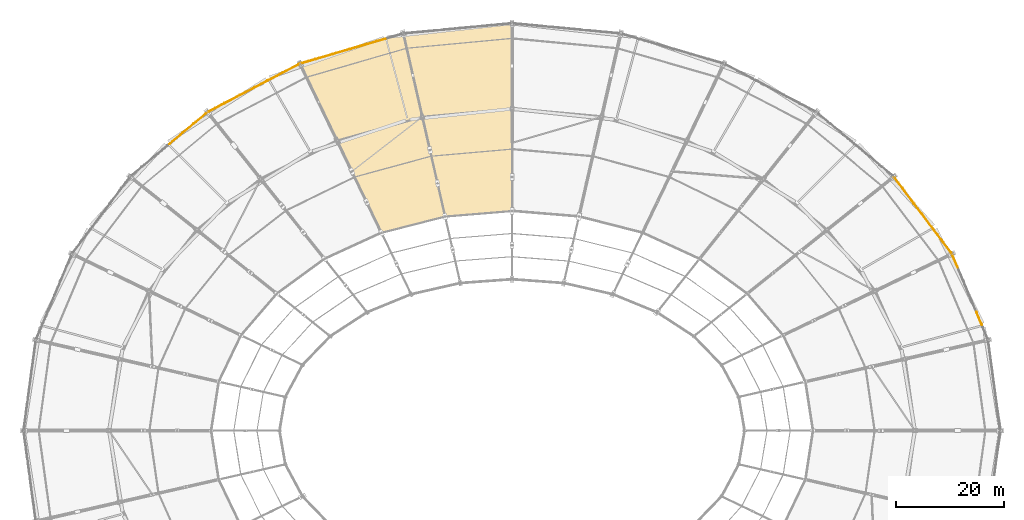
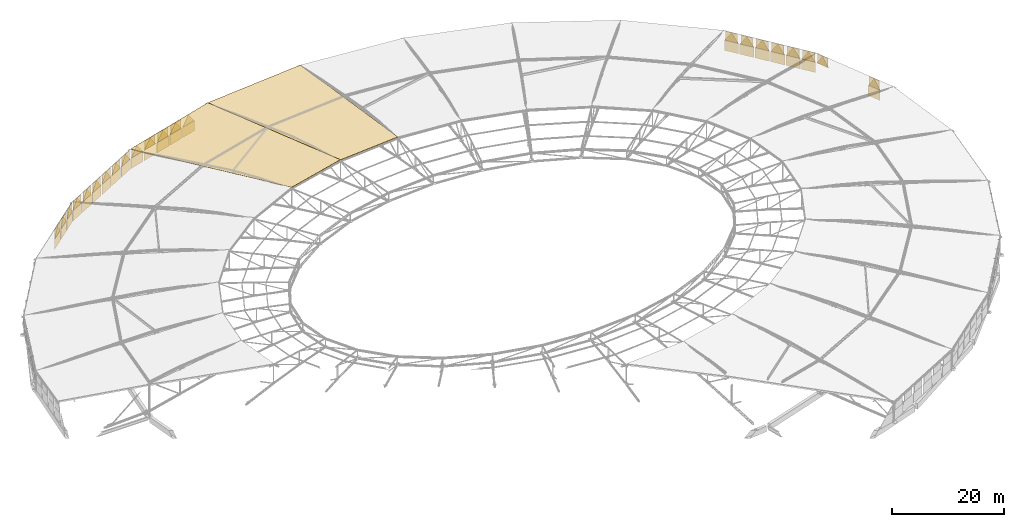
# One storey, part 106 of 108: 45 coverings, 21 shading devices.
"""IFC4 building model written with IfcOpenShell, lengths in metres."""

from ifc_helpers import new_model, si_unit, direction, frame, origin, origin_2d, place, context, subcontext, project, spatial, polyline, rectangle, outline, extrude, material, layer, layer_set, type_object, element, save


model = new_model("IFC4")

# Units and contexts
model_context = context("Model", 3, precision=1e-05, world=origin(), true_north=direction((0.0, 1.0)))
body_context = subcontext(model_context, "Body", "Model", "MODEL_VIEW")
ifc_project = project(units=[si_unit("LENGTHUNIT", "METRE"), si_unit("AREAUNIT", "SQUARE_METRE"), si_unit("VOLUMEUNIT", "CUBIC_METRE"), si_unit("PLANEANGLEUNIT", "RADIAN"), si_unit("MASSUNIT", "GRAM", prefix="KILO")], contexts=[model_context])

# Site, building, storey
site_placement = place(None, origin())
site = spatial("IfcSite", under=ifc_project, at=site_placement, CompositionType="ELEMENT")
building_placement = place(site_placement, origin())
building = spatial("IfcBuilding", under=site, at=building_placement, Name="Zevraka Park Crest Stadium", CompositionType="ELEMENT")
storey_placement = place(building_placement, frame((0.0, 0.0, 29.39990234375)))
storey = spatial("IfcBuildingStorey", under=building, at=storey_placement, Name="RF", CompositionType="ELEMENT", Elevation=29.39990234375)

# Coverings
ifc_material_1 = material(Name="Architectural golden-bronze perforated aluminium", Category="aluminium")
ifc_layer_1 = layer(ifc_material_1, 0.034912109375)
ifc_layer_set_1 = layer_set([ifc_layer_1], Name="Architectural golden-bronze perforated aluminium")
covering_type_1 = type_object("IfcCoveringType", Name="CLD01", PredefinedType="CLADDING", material=ifc_layer_set_1)
covering_1_placement = place(storey_placement, frame((198.8779296875, 111.514892578125, 0.0), z_axis=(0.922110512256, 0.386926612146, 0.0), x_axis=(-0.386926612146, 0.922110512256, 0.0)))
element("IfcCovering", 1, at=covering_1_placement, inside=storey, type_object=covering_type_1, Name="Canopy Crown Perforated Bronze Fascia 02-2A", PredefinedType="CLADDING", context=body_context, shape_type="SweptSolid", body=[
    extrude(outline(polyline([(0.0, 0.0), (2.6463048782568626, 0.0), (2.6463048782568626, 2.2001953125), (0.0, 2.2001953125), (0.0, 0.0)])), origin(), (0.0, 0.0, -1.0), 0.044921875),
])
covering_2_placement = place(storey_placement, frame((198.8779296875, 111.514892578125, 2.2001953125), z_axis=(-0.922110512009, -0.386926612043, 2.3155393e-05), x_axis=(-0.386926612146, 0.922110512256, 0.0)))
element("IfcCovering", 2, at=covering_2_placement, inside=storey, type_object=covering_type_1, Name="Canopy Crown Triangular Bronze Screen 02-2B", PredefinedType="CLADDING", context=body_context, shape_type="SweptSolid", body=[
    extrude(outline(polyline([(0.0, 0.0), (2.6463048782568626, -3.3881317890172014e-21), (1.323265001446822, -2.039794922421841), (0.0, 0.0)])), origin(), (0.0, 0.0, -1.0), 0.044921875),
])
covering_3_placement = place(storey_placement, frame((194.426025390625, 122.125, 2.2001953125), z_axis=(0.922096698468, 0.386959531056, 0.0), x_axis=(-0.386959531056, 0.922096698468, 0.0)))
element("IfcCovering", 3, at=covering_3_placement, inside=storey, type_object=covering_type_1, Name="Canopy Crown Triangular Bronze Screen 02-6B", PredefinedType="CLADDING", context=body_context, shape_type="SweptSolid", body=[
    extrude(outline(polyline([(0.0, 0.0), (2.6460797553062623, 0.0), (1.3230398776531311, 2.0397949218750004), (0.0, 0.0)])), origin(), (0.0, 0.0, -1.0), 0.044921875),
])
covering_4_placement = place(storey_placement, frame((193.284912109375, 124.76611328125, 0.0), z_axis=(0.798736787281, 0.601680600189, 0.0), x_axis=(-0.601680600189, 0.798736787281, 0.0)))
element("IfcCovering", 4, at=covering_4_placement, inside=storey, type_object=covering_type_1, Name="Canopy Crown Perforated Bronze Fascia 03-1A", PredefinedType="CLADDING", context=body_context, shape_type="SweptSolid", body=[
    extrude(outline(polyline([(0.0, 0.0), (2.7405334004978643, 0.0), (2.7405334004978643, 2.2001953125), (0.0, 2.2001953125), (0.0, 0.0)])), origin(), (0.0, 0.0, -1.0), 0.044921875),
])
covering_5_placement = place(storey_placement, frame((193.284912109375, 124.76611328125, 2.2001953125), z_axis=(0.798736742401, 0.601680566381, 0.00033522856), x_axis=(-0.601680600189, 0.798736787281, 0.0)))
element("IfcCovering", 5, at=covering_5_placement, inside=storey, type_object=covering_type_1, Name="Canopy Crown Triangular Bronze Screen 03-1B", PredefinedType="CLADDING", context=body_context, shape_type="SweptSolid", body=[
    extrude(outline(polyline([(0.0, 0.0), (2.7405334004978643, 1.0842021724855044e-19), (1.3701704814075786, 2.0397950364892377), (0.0, 0.0)])), origin(), (0.0, 0.0, -1.0), 0.044921875),
])
covering_6_placement = place(storey_placement, frame((191.491943359375, 127.14599609375, 0.0), z_axis=(0.798736787281, 0.601680600189, 0.0), x_axis=(-0.601680600189, 0.798736787281, 0.0)))
element("IfcCovering", 6, at=covering_6_placement, inside=storey, type_object=covering_type_1, Name="Canopy Crown Perforated Bronze Fascia 03-2A", PredefinedType="CLADDING", context=body_context, shape_type="SweptSolid", body=[
    extrude(outline(polyline([(0.0, 0.0), (2.7405334004978643, 0.0), (2.7405334004978643, 2.2001953125), (0.0, 2.2001953125), (0.0, 0.0)])), origin(), (0.0, 0.0, -1.0), 0.044921875),
])
covering_7_placement = place(storey_placement, frame((191.491943359375, 127.14599609375, 2.2001953125), z_axis=(-0.798736786392, -0.60168059952, 4.7170841e-05), x_axis=(-0.601680600189, 0.798736787281, 0.0)))
element("IfcCovering", 7, at=covering_7_placement, inside=storey, type_object=covering_type_1, Name="Canopy Crown Triangular Bronze Screen 03-2B", PredefinedType="CLADDING", context=body_context, shape_type="SweptSolid", body=[
    extrude(outline(polyline([(0.0, 0.0), (2.740533400497864, 1.3552527156068805e-20), (1.369582902696456, -2.039794924144362), (0.0, 0.0)])), origin(), (0.0, 0.0, -1.0), 0.044921875),
])
covering_8_placement = place(storey_placement, frame((189.698974609375, 129.52587890625, 0.0), z_axis=(0.798769034378, 0.601637789471, 0.0), x_axis=(-0.601637789471, 0.798769034378, 0.0)))
element("IfcCovering", 8, at=covering_8_placement, inside=storey, type_object=covering_type_1, Name="Canopy Crown Perforated Bronze Fascia 03-3A", PredefinedType="CLADDING", context=body_context, shape_type="SweptSolid", body=[
    extrude(outline(polyline([(0.0, 0.0), (2.740728408532874, 0.0), (2.740728408532874, 2.2001953125), (0.0, 2.2001953125), (0.0, 0.0)])), origin(), (0.0, 0.0, -1.0), 0.044921875),
])
covering_9_placement = place(storey_placement, frame((189.698974609375, 129.52587890625, 2.2001953125), z_axis=(0.798768998619, 0.601637762538, 0.000299221381), x_axis=(-0.601637789471, 0.798769034378, 0.0)))
element("IfcCovering", 9, at=covering_9_placement, inside=storey, type_object=covering_type_1, Name="Canopy Crown Triangular Bronze Screen 03-3B", PredefinedType="CLADDING", context=body_context, shape_type="SweptSolid", body=[
    extrude(outline(polyline([(0.0, 0.0), (2.740728408532874, 0.0), (1.370365454761402, 2.0397950131899294), (0.0, 0.0)])), origin(), (0.0, 0.0, -1.0), 0.044921875),
])
covering_10_placement = place(storey_placement, frame((187.906005859375, 131.905029296875, 0.0), z_axis=(0.798736787281, 0.601680600189, 0.0), x_axis=(-0.601680600189, 0.798736787281, 0.0)))
element("IfcCovering", 10, at=covering_10_placement, inside=storey, type_object=covering_type_1, Name="Canopy Crown Perforated Bronze Fascia 03-4A", PredefinedType="CLADDING", context=body_context, shape_type="SweptSolid", body=[
    extrude(outline(polyline([(0.0, 0.0), (2.7405334004978643, 0.0), (2.7405334004978643, 2.2001953125), (0.0, 2.2001953125), (0.0, 0.0)])), origin(), (0.0, 0.0, -1.0), 0.044921875),
])
covering_11_placement = place(storey_placement, frame((187.906005859375, 131.905029296875, 2.2001953125), z_axis=(-0.798736742401, -0.601680566381, 0.00033522856), x_axis=(-0.601680600189, 0.798736787281, 0.0)))
element("IfcCovering", 11, at=covering_11_placement, inside=storey, type_object=covering_type_1, Name="Canopy Crown Triangular Bronze Screen 03-4B", PredefinedType="CLADDING", context=body_context, shape_type="SweptSolid", body=[
    extrude(outline(polyline([(0.0, 0.0), (2.7405334004978643, 1.0842021724855044e-19), (1.3703629190902855, -2.0397950364892377), (0.0, 0.0)])), origin(), (0.0, 0.0, -1.0), 0.044921875),
])
covering_12_placement = place(storey_placement, frame((186.113037109375, 134.284912109375, 0.0), z_axis=(0.798769034378, 0.601637789471, 0.0), x_axis=(-0.601637789471, 0.798769034378, 0.0)))
element("IfcCovering", 12, at=covering_12_placement, inside=storey, type_object=covering_type_1, Name="Canopy Crown Perforated Bronze Fascia 03-5A", PredefinedType="CLADDING", context=body_context, shape_type="SweptSolid", body=[
    extrude(outline(polyline([(0.0, 0.0), (2.740728408532874, 0.0), (2.740728408532874, 2.2001953125), (0.0, 2.2001953125), (0.0, 0.0)])), origin(), (0.0, 0.0, -1.0), 0.044921875),
])
covering_13_placement = place(storey_placement, frame((186.113037109375, 134.284912109375, 2.2001953125), z_axis=(0.798769031613, 0.601637787389, 8.3193463e-05), x_axis=(-0.601637789471, 0.798769034378, 0.0)))
element("IfcCovering", 13, at=covering_13_placement, inside=storey, type_object=covering_type_1, Name="Canopy Crown Triangular Bronze Screen 03-5B", PredefinedType="CLADDING", context=body_context, shape_type="SweptSolid", body=[
    extrude(outline(polyline([(0.0, 0.0), (2.740728408532874, 0.0), (1.3709504906752525, 2.0397949289338655), (0.0, 0.0)])), origin(), (0.0, 0.0, -1.0), 0.044921875),
])
covering_14_placement = place(storey_placement, frame((184.320068359375, 136.6650390625, 0.0), z_axis=(0.798693974654, 0.601737430157, 0.0), x_axis=(-0.601737430157, 0.798693974654, 0.0)))
element("IfcCovering", 14, at=covering_14_placement, inside=storey, type_object=covering_type_1, Name="Canopy Crown Perforated Bronze Fascia 03-6A", PredefinedType="CLADDING", context=body_context, shape_type="SweptSolid", body=[
    extrude(outline(polyline([(0.0, 0.0), (2.7406803021130823, 0.0), (2.7406803021130823, 2.2001953125), (0.0, 2.2001953125), (0.0, 0.0)])), origin(), (0.0, 0.0, -1.0), 0.044921875),
])
covering_15_placement = place(storey_placement, frame((184.320068359375, 136.6650390625, 2.2001953125), z_axis=(-0.798693916065, -0.601737386016, 0.000383029271), x_axis=(-0.601737430157, 0.798693974654, 0.0)))
element("IfcCovering", 15, at=covering_15_placement, inside=storey, type_object=covering_type_1, Name="Canopy Crown Triangular Bronze Screen 03-6B", PredefinedType="CLADDING", context=body_context, shape_type="SweptSolid", body=[
    extrude(outline(polyline([(0.0, 0.0), (2.7406803021130823, 0.0), (1.3703628669681416, -2.0397950715056243), (0.0, 0.0)])), origin(), (0.0, 0.0, -1.0), 0.044921875),
])
covering_16_placement = place(storey_placement, frame((88.597900390625, 164.447021484375, 0.0), z_axis=(-0.280089166115, 0.959973988723, 0.0), x_axis=(-0.959973988723, -0.280089166115, 0.0)))
element("IfcCovering", 16, at=covering_16_placement, inside=storey, type_object=covering_type_1, Name="Canopy Crown Perforated Bronze Fascia 09-2A", PredefinedType="CLADDING", context=body_context, shape_type="SweptSolid", body=[
    extrude(outline(polyline([(0.0, 0.0), (3.0490429819023257, 0.0), (3.0490429819023257, 2.2001953125), (0.0, 2.2001953125), (0.0, 0.0)])), origin(), (0.0, 0.0, -1.0), 0.044921875),
])
covering_17_placement = place(storey_placement, frame((88.597900390625, 164.447021484375, 2.2001953125), z_axis=(0.280089165761, -0.959973987509, 5.0285308e-05), x_axis=(-0.959973988723, -0.280089166115, 0.0)))
element("IfcCovering", 17, at=covering_17_placement, inside=storey, type_object=covering_type_1, Name="Canopy Crown Triangular Bronze Screen 09-2B", PredefinedType="CLADDING", context=body_context, shape_type="SweptSolid", body=[
    extrude(outline(polyline([(0.0, 0.0), (3.0490429819023257, 0.0), (1.5248730439255487, -2.039794924453925), (0.0, 0.0)])), origin(), (0.0, 0.0, -1.0), 0.044921875),
])
covering_18_placement = place(storey_placement, frame((85.4169921875, 163.51904296875, 0.0), z_axis=(-0.280089166115, 0.959973988723, 0.0), x_axis=(-0.959973988723, -0.280089166115, 0.0)))
element("IfcCovering", 18, at=covering_18_placement, inside=storey, type_object=covering_type_1, Name="Canopy Crown Perforated Bronze Fascia 09-3A", PredefinedType="CLADDING", context=body_context, shape_type="SweptSolid", body=[
    extrude(outline(polyline([(0.0, 0.0), (3.0490429819023257, 0.0), (3.0490429819023257, 2.2001953125), (0.0, 2.2001953125), (0.0, 0.0)])), origin(), (0.0, 0.0, -1.0), 0.044921875),
])
covering_19_placement = place(storey_placement, frame((85.4169921875, 163.51904296875, 2.2001953125), z_axis=(0.280089165131, -0.959973985352, 8.3808847e-05), x_axis=(-0.959973988723, -0.280089166115, 0.0)))
element("IfcCovering", 19, at=covering_19_placement, inside=storey, type_object=covering_type_1, Name="Canopy Crown Triangular Bronze Screen 09-3B", PredefinedType="CLADDING", context=body_context, shape_type="SweptSolid", body=[
    extrude(outline(polyline([(0.0, 0.0), (3.0490429819023257, -1.3552527156068805e-20), (1.5251074125751394, -2.039794929038681), (0.0, 0.0)])), origin(), (0.0, 0.0, -1.0), 0.044921875),
])
covering_20_placement = place(storey_placement, frame((82.236083984375, 162.590087890625, 0.0), z_axis=(-0.280089166115, 0.959973988723, 0.0), x_axis=(-0.959973988723, -0.280089166115, 0.0)))
element("IfcCovering", 20, at=covering_20_placement, inside=storey, type_object=covering_type_1, Name="Canopy Crown Perforated Bronze Fascia 09-4A", PredefinedType="CLADDING", context=body_context, shape_type="SweptSolid", body=[
    extrude(outline(polyline([(0.0, 0.0), (3.0490429819023257, 0.0), (3.0490429819023257, 2.2001953125), (0.0, 2.2001953125), (0.0, 0.0)])), origin(), (0.0, 0.0, -1.0), 0.044921875),
])
covering_21_placement = place(storey_placement, frame((82.236083984375, 162.590087890625, 2.2001953125), z_axis=(-0.280089165761, 0.959973987509, 5.0285308e-05), x_axis=(-0.959973988723, -0.280089166115, 0.0)))
element("IfcCovering", 21, at=covering_21_placement, inside=storey, type_object=covering_type_1, Name="Canopy Crown Triangular Bronze Screen 09-4B", PredefinedType="CLADDING", context=body_context, shape_type="SweptSolid", body=[
    extrude(outline(polyline([(0.0, 0.0), (3.0490429819023257, 0.0), (1.5241699379767768, 2.039794924453925), (0.0, 0.0)])), origin(), (0.0, 0.0, -1.0), 0.044921875),
])
covering_22_placement = place(storey_placement, frame((79.054931640625, 161.662109375, 0.0), z_axis=(-0.280089166115, 0.959973988723, 0.0), x_axis=(-0.959973988723, -0.280089166115, 0.0)))
element("IfcCovering", 22, at=covering_22_placement, inside=storey, type_object=covering_type_1, Name="Canopy Crown Perforated Bronze Fascia 09-5A", PredefinedType="CLADDING", context=body_context, shape_type="SweptSolid", body=[
    extrude(outline(polyline([(0.0, 0.0), (3.0490429819023257, 0.0), (3.0490429819023257, 2.2001953125), (0.0, 2.2001953125), (0.0, 0.0)])), origin(), (0.0, 0.0, -1.0), 0.044921875),
])
covering_23_placement = place(storey_placement, frame((79.054931640625, 161.662109375, 2.2001953125), z_axis=(-0.280089165131, 0.959973985352, 8.3808847e-05), x_axis=(-0.959973988723, -0.280089166115, 0.0)))
element("IfcCovering", 23, at=covering_23_placement, inside=storey, type_object=covering_type_1, Name="Canopy Crown Triangular Bronze Screen 09-5B", PredefinedType="CLADDING", context=body_context, shape_type="SweptSolid", body=[
    extrude(outline(polyline([(0.0, 0.0), (3.0490429819023257, -1.3552527156068805e-20), (1.5239355693271863, 2.039794929038681), (0.0, 0.0)])), origin(), (0.0, 0.0, -1.0), 0.044921875),
])
covering_24_placement = place(storey_placement, frame((75.8740234375, 160.73388671875, 0.0), z_axis=(-0.280089166115, 0.959973988723, 0.0), x_axis=(-0.959973988723, -0.280089166115, 0.0)))
element("IfcCovering", 24, at=covering_24_placement, inside=storey, type_object=covering_type_1, Name="Canopy Crown Perforated Bronze Fascia 09-6A", PredefinedType="CLADDING", context=body_context, shape_type="SweptSolid", body=[
    extrude(outline(polyline([(0.0, 0.0), (3.0490429819023257, 0.0), (3.0490429819023257, 2.2001953125), (0.0, 2.2001953125), (0.0, 0.0)])), origin(), (0.0, 0.0, -1.0), 0.044921875),
])
covering_25_placement = place(storey_placement, frame((75.8740234375, 160.73388671875, 2.2001953125), z_axis=(0.280089165131, -0.959973985352, 8.3808847e-05), x_axis=(-0.959973988723, -0.280089166115, 0.0)))
element("IfcCovering", 25, at=covering_25_placement, inside=storey, type_object=covering_type_1, Name="Canopy Crown Triangular Bronze Screen 09-6B", PredefinedType="CLADDING", context=body_context, shape_type="SweptSolid", body=[
    extrude(outline(polyline([(0.0, 0.0), (3.0490429819023257, -1.3552527156068805e-20), (1.5251074125751394, -2.039794929038681), (0.0, 0.0)])), origin(), (0.0, 0.0, -1.0), 0.044921875),
])
covering_26_placement = place(storey_placement, frame((72.7060546875, 159.782958984375, 0.0), z_axis=(-0.464006994671, 0.88583153528, 0.0), x_axis=(-0.88583153528, -0.464006994671, 0.0)))
element("IfcCovering", 26, at=covering_26_placement, inside=storey, type_object=covering_type_1, Name="Canopy Crown Perforated Bronze Fascia 10-1A", PredefinedType="CLADDING", context=body_context, shape_type="SweptSolid", body=[
    extrude(outline(polyline([(0.0, 0.0), (2.9633173977824248, 0.0), (2.9633173977824248, 2.2001953125), (0.0, 2.2001953125), (0.0, 0.0)])), origin(), (0.0, 0.0, -1.0), 0.044921875),
])
covering_27_placement = place(storey_placement, frame((72.7060546875, 159.782958984375, 2.2001953125), z_axis=(0.464006992305, -0.885831530764, 0.000100975353), x_axis=(-0.88583153528, -0.464006994671, 0.0)))
element("IfcCovering", 27, at=covering_27_placement, inside=storey, type_object=covering_type_1, Name="Canopy Crown Triangular Bronze Screen 10-1B", PredefinedType="CLADDING", context=body_context, shape_type="SweptSolid", body=[
    extrude(outline(polyline([(0.0, 0.0), (2.963317397782425, 0.0), (1.4809995980465098, -2.0397949322738973), (0.0, 0.0)])), origin(), (0.0, 0.0, -1.0), 0.044921875),
])
covering_28_placement = place(storey_placement, frame((69.85205078125, 158.2880859375, 0.0), z_axis=(-0.464265532752, 0.885696062483, 0.0), x_axis=(-0.885696062483, -0.464265532752, 0.0)))
element("IfcCovering", 28, at=covering_28_placement, inside=storey, type_object=covering_type_1, Name="Canopy Crown Perforated Bronze Fascia 10-2A", PredefinedType="CLADDING", context=body_context, shape_type="SweptSolid", body=[
    extrude(outline(polyline([(0.0, 0.0), (2.9637706558621093, 0.0), (2.9637706558621093, 2.2001953125), (0.0, 2.2001953125), (0.0, 0.0)])), origin(), (0.0, 0.0, -1.0), 0.044921875),
])
covering_29_placement = place(storey_placement, frame((69.85205078125, 158.2880859375, 2.2001953125), z_axis=(-0.464265529885, 0.885696057014, 0.000111134777), x_axis=(-0.885696062483, -0.464265532752, 0.0)))
element("IfcCovering", 29, at=covering_29_placement, inside=storey, type_object=covering_type_1, Name="Canopy Crown Triangular Bronze Screen 10-2B", PredefinedType="CLADDING", context=body_context, shape_type="SweptSolid", body=[
    extrude(outline(polyline([(0.0, 0.0), (2.9637706558621093, 0.0), (1.4814528591505454, 2.0397949344716912), (0.0, 0.0)])), origin(), (0.0, 0.0, -1.0), 0.044921875),
])
covering_30_placement = place(storey_placement, frame((66.9990234375, 156.79296875, 0.0), z_axis=(-0.464265532752, 0.885696062483, 0.0), x_axis=(-0.885696062483, -0.464265532752, 0.0)))
element("IfcCovering", 30, at=covering_30_placement, inside=storey, type_object=covering_type_1, Name="Canopy Crown Perforated Bronze Fascia 10-3A", PredefinedType="CLADDING", context=body_context, shape_type="SweptSolid", body=[
    extrude(outline(polyline([(0.0, 0.0), (2.9637706558621093, 0.0), (2.9637706558621093, 2.2001953125), (0.0, 2.2001953125), (0.0, 0.0)])), origin(), (0.0, 0.0, -1.0), 0.044921875),
])
covering_31_placement = place(storey_placement, frame((66.9990234375, 156.79296875, 2.2001953125), z_axis=(0.464265529885, -0.885696057014, 0.000111134777), x_axis=(-0.885696062483, -0.464265532752, 0.0)))
element("IfcCovering", 31, at=covering_31_placement, inside=storey, type_object=covering_type_1, Name="Canopy Crown Triangular Bronze Screen 10-3B", PredefinedType="CLADDING", context=body_context, shape_type="SweptSolid", body=[
    extrude(outline(polyline([(0.0, 0.0), (2.9637706558621093, 0.0), (1.482317796711564, -2.0397949344716912), (0.0, 0.0)])), origin(), (0.0, 0.0, -1.0), 0.044921875),
])
covering_32_placement = place(storey_placement, frame((64.14501953125, 155.298095703125, 0.0), z_axis=(-0.464265532752, 0.885696062483, 0.0), x_axis=(-0.885696062483, -0.464265532752, 0.0)))
element("IfcCovering", 32, at=covering_32_placement, inside=storey, type_object=covering_type_1, Name="Canopy Crown Perforated Bronze Fascia 10-4A", PredefinedType="CLADDING", context=body_context, shape_type="SweptSolid", body=[
    extrude(outline(polyline([(0.0, 0.0), (2.9637706558621093, 0.0), (2.9637706558621093, 2.2001953125), (0.0, 2.2001953125), (0.0, 0.0)])), origin(), (0.0, 0.0, -1.0), 0.044921875),
])
covering_33_placement = place(storey_placement, frame((64.14501953125, 155.298095703125, 2.2001953125), z_axis=(0.464265529885, -0.885696057014, 0.000111134777), x_axis=(-0.885696062483, -0.464265532752, 0.0)))
element("IfcCovering", 33, at=covering_33_placement, inside=storey, type_object=covering_type_1, Name="Canopy Crown Triangular Bronze Screen 10-4B", PredefinedType="CLADDING", context=body_context, shape_type="SweptSolid", body=[
    extrude(outline(polyline([(0.0, 0.0), (2.9637706558621093, 0.0), (1.482317796711564, -2.0397949344716912), (0.0, 0.0)])), origin(), (0.0, 0.0, -1.0), 0.044921875),
])
covering_34_placement = place(storey_placement, frame((61.2919921875, 153.802978515625, 0.0), z_axis=(-0.464265532752, 0.885696062483, 0.0), x_axis=(-0.885696062483, -0.464265532752, 0.0)))
element("IfcCovering", 34, at=covering_34_placement, inside=storey, type_object=covering_type_1, Name="Canopy Crown Perforated Bronze Fascia 10-5A", PredefinedType="CLADDING", context=body_context, shape_type="SweptSolid", body=[
    extrude(outline(polyline([(0.0, 0.0), (2.9637706558621093, 0.0), (2.9637706558621093, 2.2001953125), (0.0, 2.2001953125), (0.0, 0.0)])), origin(), (0.0, 0.0, -1.0), 0.044921875),
])
covering_35_placement = place(storey_placement, frame((61.2919921875, 153.802978515625, 2.2001953125), z_axis=(-0.464265529885, 0.885696057014, 0.000111134777), x_axis=(-0.885696062483, -0.464265532752, 0.0)))
element("IfcCovering", 35, at=covering_35_placement, inside=storey, type_object=covering_type_1, Name="Canopy Crown Triangular Bronze Screen 10-5B", PredefinedType="CLADDING", context=body_context, shape_type="SweptSolid", body=[
    extrude(outline(polyline([(0.0, 0.0), (2.9637706558621093, 0.0), (1.4814528591505454, 2.0397949344716912), (0.0, 0.0)])), origin(), (0.0, 0.0, -1.0), 0.044921875),
])
covering_36_placement = place(storey_placement, frame((58.43798828125, 152.306884765625, 0.0), z_axis=(-0.464006994671, 0.88583153528, 0.0), x_axis=(-0.88583153528, -0.464006994671, 0.0)))
element("IfcCovering", 36, at=covering_36_placement, inside=storey, type_object=covering_type_1, Name="Canopy Crown Perforated Bronze Fascia 10-6A", PredefinedType="CLADDING", context=body_context, shape_type="SweptSolid", body=[
    extrude(outline(polyline([(0.0, 0.0), (2.9633173977824248, 0.0), (2.9633173977824248, 2.2001953125), (0.0, 2.2001953125), (0.0, 0.0)])), origin(), (0.0, 0.0, -1.0), 0.044921875),
])
covering_37_placement = place(storey_placement, frame((58.43798828125, 152.306884765625, 2.2001953125), z_axis=(0.464006984729, -0.885831516302, 0.000206999471), x_axis=(-0.88583153528, -0.464006994671, 0.0)))
element("IfcCovering", 37, at=covering_37_placement, inside=storey, type_object=covering_type_1, Name="Canopy Crown Triangular Bronze Screen 10-6B", PredefinedType="CLADDING", context=body_context, shape_type="SweptSolid", body=[
    extrude(outline(polyline([(0.0, 0.0), (2.963317397782425, 0.0), (1.4808863150888267, -2.0397949655763647), (0.0, 0.0)])), origin(), (0.0, 0.0, -1.0), 0.044921875),
])
covering_38_placement = place(storey_placement, frame((55.60400390625, 150.79296875, 0.0), z_axis=(-0.640445053294, 0.768003993291, 0.0), x_axis=(-0.768003993291, -0.640445053294, 0.0)))
element("IfcCovering", 38, at=covering_38_placement, inside=storey, type_object=covering_type_1, Name="Canopy Crown Perforated Bronze Fascia 11-1A", PredefinedType="CLADDING", context=body_context, shape_type="SweptSolid", body=[
    extrude(outline(polyline([(0.0, 0.0), (2.855603946767651, 0.0), (2.855603946767651, 2.2001953125), (0.0, 2.2001953125), (0.0, 0.0)])), origin(), (0.0, 0.0, -1.0), 0.044921875),
])
covering_39_placement = place(storey_placement, frame((55.60400390625, 150.79296875, 2.2001953125), z_axis=(-0.640444996419, 0.768003925088, 0.000421438935), x_axis=(-0.768003993291, -0.640445053294, 0.0)))
element("IfcCovering", 39, at=covering_39_placement, inside=storey, type_object=covering_type_1, Name="Canopy Crown Triangular Bronze Screen 11-1B", PredefinedType="CLADDING", context=body_context, shape_type="SweptSolid", body=[
    extrude(outline(polyline([(0.0, 0.0), (2.855603946767651, 0.0), (1.4277241175854876, 2.0397951030198036), (0.0, 0.0)])), origin(), (0.0, 0.0, -1.0), 0.044921875),
])
covering_40_placement = place(storey_placement, frame((53.220947265625, 148.804931640625, 0.0), z_axis=(-0.64028533532, 0.768137155315, 0.0), x_axis=(-0.768137155315, -0.64028533532, 0.0)))
element("IfcCovering", 40, at=covering_40_placement, inside=storey, type_object=covering_type_1, Name="Canopy Crown Perforated Bronze Fascia 11-2A", PredefinedType="CLADDING", context=body_context, shape_type="SweptSolid", body=[
    extrude(outline(polyline([(0.0, 0.0), (2.8547910728937436, 0.0), (2.8547910728937436, 2.2001953125), (0.0, 2.2001953125), (0.0, 0.0)])), origin(), (0.0, 0.0, -1.0), 0.044921875),
])
covering_41_placement = place(storey_placement, frame((53.220947265625, 148.804931640625, 2.2001953125), z_axis=(0.640285322611, -0.768137140069, 0.000199238685), x_axis=(-0.768137155315, -0.64028533532, 0.0)))
element("IfcCovering", 41, at=covering_41_placement, inside=storey, type_object=covering_type_1, Name="Canopy Crown Triangular Bronze Screen 11-2B", PredefinedType="CLADDING", context=body_context, shape_type="SweptSolid", body=[
    extrude(outline(polyline([(0.0, 0.0), (2.8547910728937436, 5.421010862427522e-20), (1.4276924435862686, -2.0397949623609057), (0.0, 0.0)])), origin(), (0.0, 0.0, -1.0), 0.044921875),
])
covering_42_placement = place(storey_placement, frame((50.837890625, 146.818115234375, 0.0), z_axis=(-0.640335790713, 0.76809509511, 0.0), x_axis=(-0.76809509511, -0.640335790713, 0.0)))
element("IfcCovering", 42, at=covering_42_placement, inside=storey, type_object=covering_type_1, Name="Canopy Crown Perforated Bronze Fascia 11-3A", PredefinedType="CLADDING", context=body_context, shape_type="SweptSolid", body=[
    extrude(outline(polyline([(0.0, 0.0), (2.8549473987149607, 0.0), (2.8549473987149607, 2.2001953125), (0.0, 2.2001953125), (0.0, 0.0)])), origin(), (0.0, 0.0, -1.0), 0.044921875),
])
covering_43_placement = place(storey_placement, frame((50.837890625, 146.818115234375, 2.2001953125), z_axis=(-0.64033578319, 0.768095086087, 0.000153282055), x_axis=(-0.76809509511, -0.640335790713, 0.0)))
element("IfcCovering", 43, at=covering_43_placement, inside=storey, type_object=covering_type_1, Name="Canopy Crown Triangular Bronze Screen 11-3B", PredefinedType="CLADDING", context=body_context, shape_type="SweptSolid", body=[
    extrude(outline(polyline([(0.0, 0.0), (2.8549473987149607, 2.710505431213761e-20), (1.4270986529243213, 2.0397949458378877), (0.0, 0.0)])), origin(), (0.0, 0.0, -1.0), 0.044921875),
])

# Shading devices
ifc_material_2 = material(Name="Terracotta and bronze acoustic ventilation louvre", Category="masonry")
ifc_layer_2 = layer(ifc_material_2, 0.080078125)
ifc_layer_set_2 = layer_set([ifc_layer_2], Name="Terracotta and bronze acoustic ventilation louvre")
shading_device_type = type_object("IfcShadingDeviceType", Name="LVR01", PredefinedType="USERDEFINED", material=ifc_layer_set_2)
for number, where, z_axis, x_axis, name in (
    (44, (198.365966796875, 112.735107421875, 2.22021484375), (0.0, 0.0, 1.0), (-0.387032846937, 0.922065927899, 0.0), "Canopy Crown Acoustic Wind Louvre 02-2"),
    (45, (193.9140625, 123.344970703125, 2.22021484375), (0.0, 0.0, 1.0), (-0.387032846937, 0.922065927899, 0.0), "Canopy Crown Acoustic Wind Louvre 02-6"),
):
    element("IfcShadingDevice", number, at=place(storey_placement, frame(where, z_axis=z_axis, x_axis=x_axis)), inside=storey, type_object=shading_device_type, Name=name, ObjectType="LOUVRE", PredefinedType="USERDEFINED", context=body_context, shape_type="SweptSolid", body=[
        extrude(rectangle(XDim=2.25, YDim=0.1201171875, at=origin_2d()), origin(), (0.0, 0.0, 1.0), 2.0),
    ])
for number, where, z_axis, x_axis, name in (
    (46, (192.4599609375, 125.860107421875, 2.22021484375), (0.0, 0.0, 1.0), (-0.601815023152, 0.798635510047, 0.0), "Canopy Crown Acoustic Wind Louvre 03-1"),
    (47, (190.66796875, 128.239990234375, 2.22021484375), (0.0, 0.0, 1.0), (-0.601815023152, 0.798635510047, 0.0), "Canopy Crown Acoustic Wind Louvre 03-2"),
    (48, (188.8740234375, 130.6201171875, 2.22021484375), (0.0, 0.0, 1.0), (-0.601815023152, 0.798635510047, 0.0), "Canopy Crown Acoustic Wind Louvre 03-3"),
    (49, (187.08203125, 133.0, 2.22021484375), (0.0, 0.0, 1.0), (-0.601815023152, 0.798635510047, 0.0), "Canopy Crown Acoustic Wind Louvre 03-4"),
    (50, (185.2880859375, 135.3798828125, 2.22021484375), (0.0, 0.0, 1.0), (-0.601815023152, 0.798635510047, 0.0), "Canopy Crown Acoustic Wind Louvre 03-5"),
    (51, (183.49609375, 137.760009765625, 2.22021484375), (0.0, 0.0, 1.0), (-0.601815023152, 0.798635510047, 0.0), "Canopy Crown Acoustic Wind Louvre 03-6"),
):
    element("IfcShadingDevice", number, at=place(storey_placement, frame(where, z_axis=z_axis, x_axis=x_axis)), inside=storey, type_object=shading_device_type, Name=name, ObjectType="LOUVRE", PredefinedType="USERDEFINED", context=body_context, shape_type="SweptSolid", body=[
        extrude(rectangle(XDim=2.330078125, YDim=0.1201171875, at=origin_2d()), origin(), (0.0, 0.0, 1.0), 2.0),
    ])
for number, where, z_axis, x_axis, name in (
    (52, (83.952880859375, 163.092041015625, 2.22021484375), (0.0, 0.0, 1.0), (-0.959952117146, -0.280164117595, 0.0), "Canopy Crown Acoustic Wind Louvre 09-3"),
    (53, (80.77294921875, 162.1630859375, 2.22021484375), (0.0, 0.0, 1.0), (-0.959952117146, -0.280164117595, 0.0), "Canopy Crown Acoustic Wind Louvre 09-4"),
    (54, (77.592041015625, 161.235107421875, 2.22021484375), (0.0, 0.0, 1.0), (-0.959952117146, -0.280164117595, 0.0), "Canopy Crown Acoustic Wind Louvre 09-5"),
    (55, (74.409912109375, 160.306884765625, 2.22021484375), (0.0, 0.0, 1.0), (-0.959952117146, -0.280164117595, 0.0), "Canopy Crown Acoustic Wind Louvre 09-6"),
):
    element("IfcShadingDevice", number, at=place(storey_placement, frame(where, z_axis=z_axis, x_axis=x_axis)), inside=storey, type_object=shading_device_type, Name=name, ObjectType="LOUVRE", PredefinedType="USERDEFINED", context=body_context, shape_type="SweptSolid", body=[
        extrude(rectangle(XDim=2.591064453125, YDim=0.1201171875, at=origin_2d()), origin(), (0.0, 0.0, 1.0), 2.0),
    ])
for number, where, z_axis, x_axis, name in (
    (56, (71.39404296875, 159.095947265625, 2.22021484375), (0.0, 0.0, 1.0), (-0.88579893978, -0.464069217127, 0.0), "Canopy Crown Acoustic Wind Louvre 10-1"),
    (57, (68.5400390625, 157.60009765625, 2.22021484375), (0.0, 0.0, 1.0), (-0.88579893978, -0.464069217127, 0.0), "Canopy Crown Acoustic Wind Louvre 10-2"),
    (58, (65.68603515625, 156.10498046875, 2.22021484375), (0.0, 0.0, 1.0), (-0.88579893978, -0.464069217127, 0.0), "Canopy Crown Acoustic Wind Louvre 10-3"),
    (59, (62.83203125, 154.610107421875, 2.22021484375), (0.0, 0.0, 1.0), (-0.88579893978, -0.464069217127, 0.0), "Canopy Crown Acoustic Wind Louvre 10-4"),
    (60, (59.97998046875, 153.114990234375, 2.22021484375), (0.0, 0.0, 1.0), (-0.88579893978, -0.464069217127, 0.0), "Canopy Crown Acoustic Wind Louvre 10-5"),
    (61, (57.1259765625, 151.6201171875, 2.22021484375), (0.0, 0.0, 1.0), (-0.88579893978, -0.464069217127, 0.0), "Canopy Crown Acoustic Wind Louvre 10-6"),
):
    element("IfcShadingDevice", number, at=place(storey_placement, frame(where, z_axis=z_axis, x_axis=x_axis)), inside=storey, type_object=shading_device_type, Name=name, ObjectType="LOUVRE", PredefinedType="USERDEFINED", context=body_context, shape_type="SweptSolid", body=[
        extrude(rectangle(XDim=2.51904296875, YDim=0.1201171875, at=origin_2d()), origin(), (0.0, 0.0, 1.0), 2.0),
    ])
for number, where, z_axis, x_axis, name in (
    (62, (54.508056640625, 149.8779296875, 2.22021484375), (0.0, 0.0, 1.0), (-0.768060036355, -0.640377842023, 0.0), "Canopy Crown Acoustic Wind Louvre 11-1"),
    (63, (52.1240234375, 147.89111328125, 2.22021484375), (0.0, 0.0, 1.0), (-0.768060036355, -0.640377842023, 0.0), "Canopy Crown Acoustic Wind Louvre 11-2"),
    (64, (49.741943359375, 145.904052734375, 2.22021484375), (0.0, 0.0, 1.0), (-0.768060036355, -0.640377842023, 0.0), "Canopy Crown Acoustic Wind Louvre 11-3"),
):
    element("IfcShadingDevice", number, at=place(storey_placement, frame(where, z_axis=z_axis, x_axis=x_axis)), inside=storey, type_object=shading_device_type, Name=name, ObjectType="LOUVRE", PredefinedType="USERDEFINED", context=body_context, shape_type="SweptSolid", body=[
        extrude(rectangle(XDim=2.426025390625, YDim=0.1201171875, at=origin_2d()), origin(), (0.0, 0.0, 1.0), 2.0),
    ])

# Coverings
ifc_material_3 = material(Name="Insulated standing-seam acoustic aluminium roofing", Category="aluminium")
ifc_layer_3 = layer(ifc_material_3, 0.06005859375)
ifc_layer_set_3 = layer_set([ifc_layer_3], Name="Insulated standing-seam acoustic aluminium roofing")
covering_type_2 = type_object("IfcCoveringType", Name="RCV01", PredefinedType="ROOFING", material=ifc_layer_set_3)
covering_44_placement = place(storey_placement, frame((112.0, 167.300048828125, 4.300048828125), z_axis=(-0.014481203844, 0.154065798808, 0.987954464726), x_axis=(-0.995615114853, -0.093544337305, -5.792147e-06)))
element("IfcCovering", 65, at=covering_44_placement, inside=storey, type_object=covering_type_2, Name="Canopy Acoustic Standing-Seam Roofing OUTER-08", PredefinedType="ROOFING", context=body_context, shape_type="SweptSolid", body=[
    extrude(outline(polyline([(0.0, 0.0), (20.18249032919716, -6.661338147750939e-16), (15.65900727734929, 34.82352910307955), (3.245952593378451, 34.96903492530013), (0.0, 0.0)])), origin(), (0.0, 0.0, -1.0), 0.06005859375),
])
covering_45_placement = place(storey_placement, frame((91.906005859375, 165.412109375, 4.300048828125), z_axis=(-0.043398259759, 0.148725371122, 0.987925784173), x_axis=(-0.959968018352, -0.280109628072, -1.551768e-06)))
element("IfcCovering", 66, at=covering_45_placement, inside=storey, type_object=covering_type_2, Name="Canopy Acoustic Standing-Seam Roofing OUTER-09", PredefinedType="ROOFING", context=body_context, shape_type="SweptSolid", body=[
    extrude(outline(polyline([(0.0, 0.0), (19.881845832189512, -8.881784197001252e-16), (14.185971027373741, 34.6480070270648), (2.063322256670496, 35.062130843250785), (0.0, 0.0)])), origin(), (0.0, 0.0, -1.0), 0.06005859375),
])

save(model, "model.ifc")
